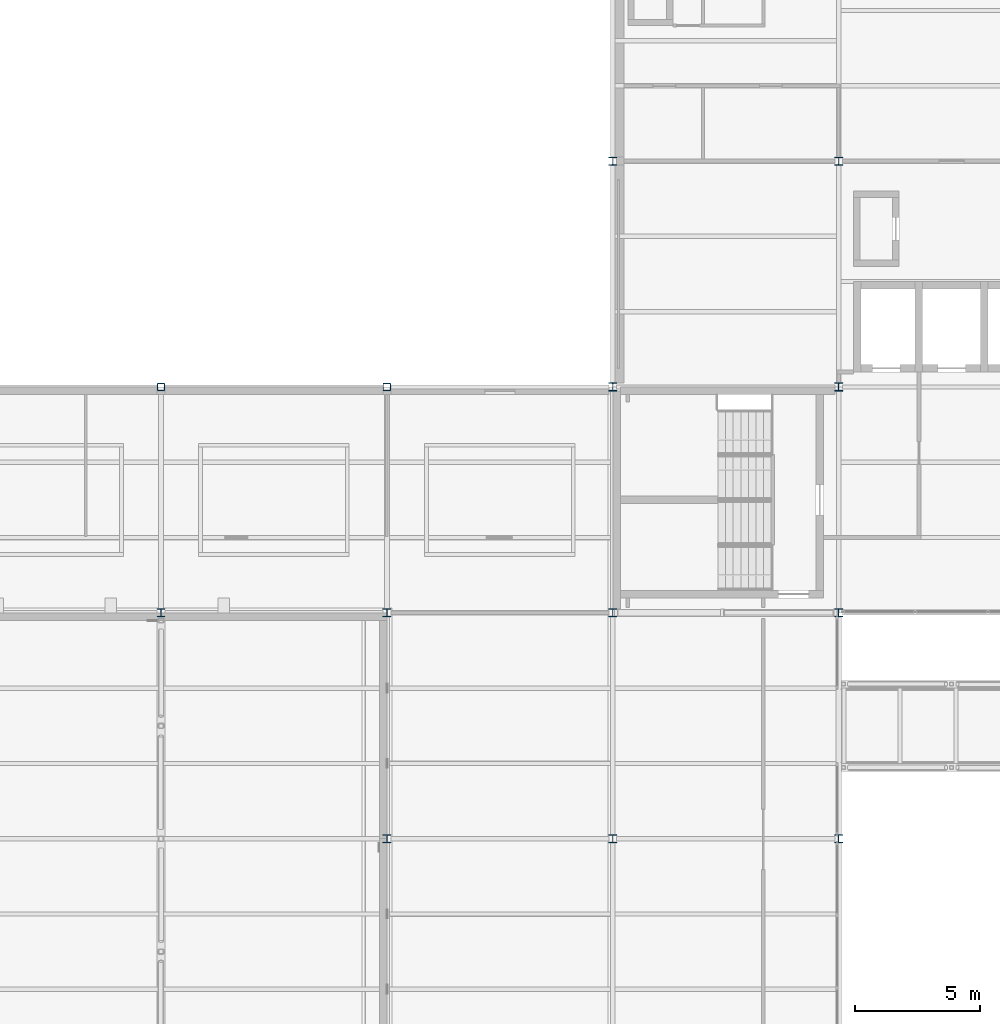
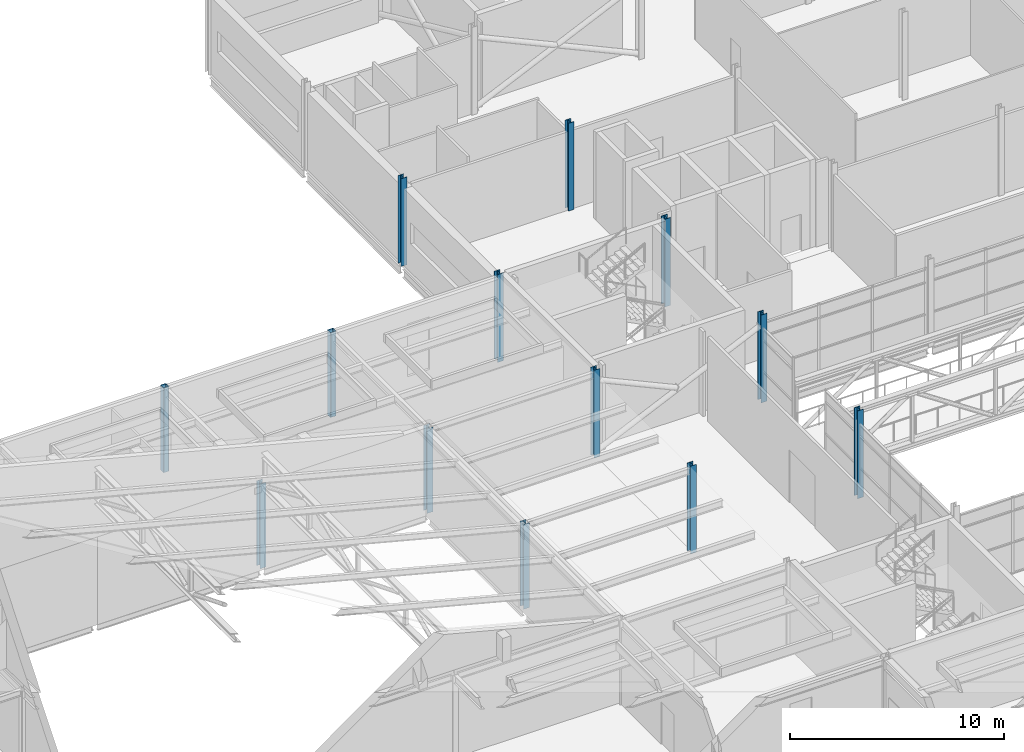
# One storey, part 9 of 115: 13 columns.
"""IFC4 building model written with IfcOpenShell, lengths in metres."""

from ifc_helpers import new_model, si_unit, direction, frame, origin, origin_2d, place, context, subcontext, project, spatial, hollow_rectangle, i_section, extrude, material, material_profile, profile_set, type_object, element, save


model = new_model("IFC4")

# Units and contexts
model_context = context("Model", 3, precision=1e-05, world=origin(), true_north=direction((0.0, 1.0)))
body_context = subcontext(model_context, "Body", "Model", "MODEL_VIEW")
ifc_project = project(units=[si_unit("LENGTHUNIT", "METRE"), si_unit("AREAUNIT", "SQUARE_METRE"), si_unit("VOLUMEUNIT", "CUBIC_METRE"), si_unit("PLANEANGLEUNIT", "RADIAN"), si_unit("MASSUNIT", "GRAM", prefix="KILO")], contexts=[model_context])

# Site, building, storey
site_placement = place(None, origin())
site = spatial("IfcSite", under=ifc_project, at=site_placement, CompositionType="ELEMENT")
building_placement = place(site_placement, origin())
building = spatial("IfcBuilding", under=site, at=building_placement, Name="Shorebreak Coast Museum", CompositionType="ELEMENT")
storey_placement = place(building_placement, frame((0.0, 0.0, 11.0)))
storey = spatial("IfcBuildingStorey", under=building, at=storey_placement, Name="L02", CompositionType="ELEMENT", Elevation=11.0)

# Columns
ifc_material_1 = material(Name="Steel Grade C450L0", Category="steel")
ifc_material_profile_1 = material_profile(ifc_material_1, hollow_rectangle(XDim=0.300048828125, YDim=0.300048828125, WallThickness=0.012451171875, InnerFilletRadius=0.018798828125, OuterFilletRadius=0.03125, at=origin_2d()), Name="300x300x12.5 SHS")
ifc_profile_set_1 = profile_set([ifc_material_profile_1], Name="Steel Grade C450L0")
column_type_1 = type_object("IfcColumnType", Name="Column 300x300x12.5 SHS", PredefinedType="COLUMN", material=ifc_profile_set_1)
for number, where, z_axis, x_axis, name in (
    (1, (36.0, 90.0, 0.0), (0.0, 0.0, 1.0), (1.0, 0.0, 0.0), "Column L02 5L"),
    (2, (45.0, 90.0, 0.0), (0.0, 0.0, 1.0), (1.0, 0.0, 0.0), "Column L02 6L"),
):
    element("IfcColumn", number, at=place(storey_placement, frame(where, z_axis=z_axis, x_axis=x_axis)), inside=storey, type_object=column_type_1, Name=name, PredefinedType="COLUMN", context=body_context, shape_type="SweptSolid", body=[
        extrude(hollow_rectangle(XDim=0.300048828125, YDim=0.300048828125, WallThickness=0.012451171875, InnerFilletRadius=0.018798828125, OuterFilletRadius=0.03125, at=origin_2d()), origin(), (0.0, 0.0, 1.0), 4.824951171875),
    ])
ifc_material_2 = material(Name="Steel Grade 300", Category="steel")
ifc_material_profile_2 = material_profile(ifc_material_2, i_section(OverallWidth=0.306884765625, OverallDepth=0.314697265625, WebThickness=0.011962890625, FlangeThickness=0.018798828125, FilletRadius=0.0166015625, at=origin_2d()), Name="310UC118")
ifc_profile_set_2 = profile_set([ifc_material_profile_2], Name="Steel Grade 300")
column_type_2 = type_object("IfcColumnType", Name="Column 310UC118", PredefinedType="COLUMN", material=ifc_profile_set_2)
for number, where, z_axis, x_axis, name in (
    (3, (54.0, 72.0, 0.0), (0.0, 0.0, 1.0), (1.0, 0.0, 0.0), "Column L02 7J"),
    (4, (54.0, 81.0, 0.0), (0.0, 0.0, 1.0), (1.0, 0.0, 0.0), "Column L02 7K"),
    (5, (54.0, 99.0, 0.0), (0.0, 0.0, 1.0), (1.0, 0.0, 0.0), "Column L02 7M"),
    (6, (63.0, 99.0, 0.0), (0.0, 0.0, 1.0), (1.0, 0.0, 0.0), "Column L02 8M"),
):
    element("IfcColumn", number, at=place(storey_placement, frame(where, z_axis=z_axis, x_axis=x_axis)), inside=storey, type_object=column_type_2, Name=name, PredefinedType="COLUMN", context=body_context, shape_type="SweptSolid", body=[
        extrude(i_section(OverallWidth=0.306884765625, OverallDepth=0.314697265625, WebThickness=0.011962890625, FlangeThickness=0.018798828125, FilletRadius=0.0166015625, at=origin_2d()), origin(), (0.0, 0.0, 1.0), 5.0),
    ])
ifc_material_3 = material(Name="Steel Grade 300", Category="steel")
ifc_material_profile_3 = material_profile(ifc_material_3, i_section(OverallWidth=0.31103515625, OverallDepth=0.3271484375, WebThickness=0.015625, FlangeThickness=0.02490234375, FilletRadius=0.0166015625, at=origin_2d()), Name="310UC158")
ifc_profile_set_3 = profile_set([ifc_material_profile_3], Name="Steel Grade 300")
column_type_3 = type_object("IfcColumnType", Name="Column 310UC158", PredefinedType="COLUMN", material=ifc_profile_set_3)
column_1_placement = place(storey_placement, frame((45.0, 72.0, 0.0), z_axis=(0.0, 0.0, 1.0), x_axis=(1.0, 0.0, 0.0)))
element("IfcColumn", 7, at=column_1_placement, inside=storey, type_object=column_type_3, Name="Column L02 6J", PredefinedType="COLUMN", context=body_context, shape_type="SweptSolid", body=[
    extrude(i_section(OverallWidth=0.31103515625, OverallDepth=0.3271484375, WebThickness=0.015625, FlangeThickness=0.02490234375, FilletRadius=0.0166015625, at=origin_2d()), origin(), (0.0, 0.0, 1.0), 4.824951171875),
])
column_2_placement = place(storey_placement, frame((63.0, 72.0, 0.0), z_axis=(0.0, 0.0, 1.0), x_axis=(1.0, 0.0, 0.0)))
element("IfcColumn", 8, at=column_2_placement, inside=storey, type_object=column_type_3, Name="Column L02 8J", PredefinedType="COLUMN", context=body_context, shape_type="SweptSolid", body=[
    extrude(i_section(OverallWidth=0.31103515625, OverallDepth=0.3271484375, WebThickness=0.015625, FlangeThickness=0.02490234375, FilletRadius=0.0166015625, at=origin_2d()), origin(), (0.0, 0.0, 1.0), 5.0),
])
for number, where, z_axis, x_axis, name in (
    (9, (36.0, 81.0, 0.0), (0.0, 0.0, 1.0), (1.0, 0.0, 0.0), "Column L02 5K"),
    (10, (45.0, 81.0, 0.0), (0.0, 0.0, 1.0), (1.0, 0.0, 0.0), "Column L02 6K"),
):
    element("IfcColumn", number, at=place(storey_placement, frame(where, z_axis=z_axis, x_axis=x_axis)), inside=storey, type_object=column_type_3, Name=name, PredefinedType="COLUMN", context=body_context, shape_type="SweptSolid", body=[
        extrude(i_section(OverallWidth=0.31103515625, OverallDepth=0.3271484375, WebThickness=0.015625, FlangeThickness=0.02490234375, FilletRadius=0.0166015625, at=origin_2d()), origin(), (0.0, 0.0, 1.0), 4.824951171875),
    ])
for number, where, z_axis, x_axis, name in (
    (11, (63.0, 81.0, 0.0), (0.0, 0.0, 1.0), (1.0, 0.0, 0.0), "Column L02 8K"),
    (12, (54.0, 90.0, 0.0), (0.0, 0.0, 1.0), (1.0, 0.0, 0.0), "Column L02 7L"),
    (13, (63.0, 90.0, 0.0), (0.0, 0.0, 1.0), (1.0, 0.0, 0.0), "Column L02 8L"),
):
    element("IfcColumn", number, at=place(storey_placement, frame(where, z_axis=z_axis, x_axis=x_axis)), inside=storey, type_object=column_type_3, Name=name, PredefinedType="COLUMN", context=body_context, shape_type="SweptSolid", body=[
        extrude(i_section(OverallWidth=0.31103515625, OverallDepth=0.3271484375, WebThickness=0.015625, FlangeThickness=0.02490234375, FilletRadius=0.0166015625, at=origin_2d()), origin(), (0.0, 0.0, 1.0), 5.0),
    ])

save(model, "model.ifc")
